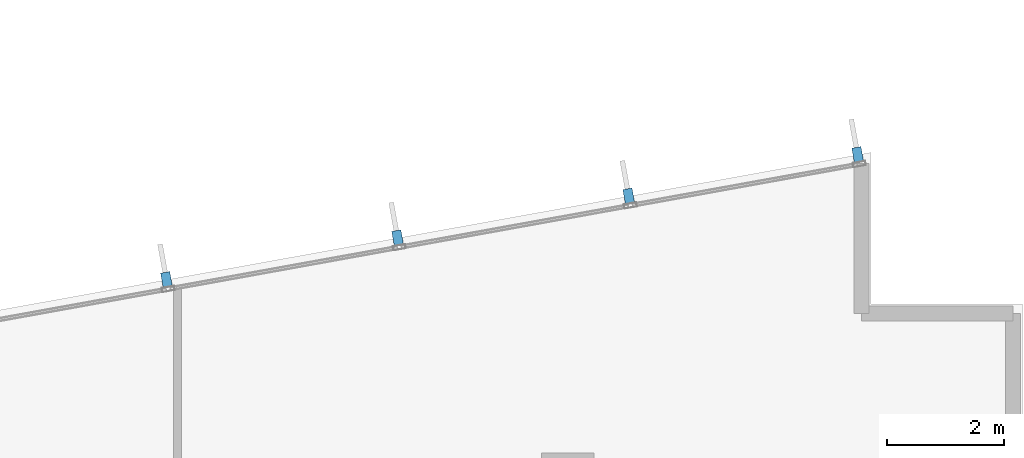
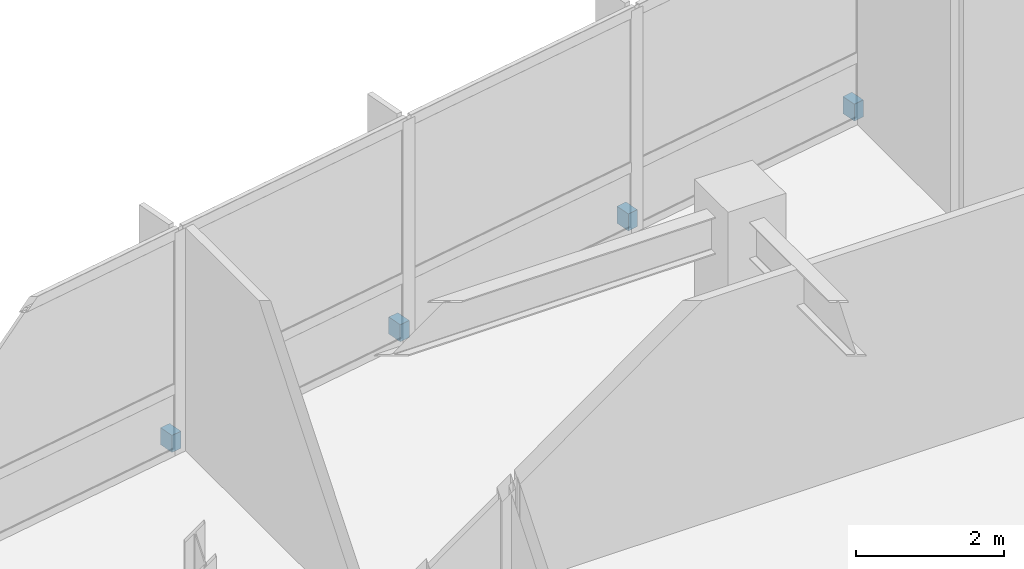
# One storey, part 14 of 19: 4 discrete accessories.
"""IFC4 building model written with IfcOpenShell, lengths in metres."""

from ifc_helpers import new_model, si_unit, direction, frame, origin, origin_2d, place, context, subcontext, project, spatial, rectangle, extrude, material, type_object, element, save


model = new_model("IFC4")

# Units and contexts
model_context = context("Model", 3, precision=1e-05, world=origin(), true_north=direction((0.0, 1.0)))
body_context = subcontext(model_context, "Body", "Model", "MODEL_VIEW")
ifc_project = project(units=[si_unit("LENGTHUNIT", "METRE"), si_unit("AREAUNIT", "SQUARE_METRE"), si_unit("VOLUMEUNIT", "CUBIC_METRE"), si_unit("PLANEANGLEUNIT", "RADIAN"), si_unit("MASSUNIT", "GRAM", prefix="KILO")], contexts=[model_context])

# Site, building, storey
site_placement = place(None, origin())
site = spatial("IfcSite", under=ifc_project, at=site_placement, CompositionType="ELEMENT")
building_placement = place(site_placement, origin())
building = spatial("IfcBuilding", under=site, at=building_placement, Name="Varnakote Quay Hospital", CompositionType="ELEMENT")
storey_placement = place(building_placement, frame((0.0, 0.0, 93.60009765625)))
storey = spatial("IfcBuildingStorey", under=building, at=storey_placement, Name="L23", CompositionType="ELEMENT", Elevation=93.60009765625)

# Discrete accessories
ifc_material = material(Name="Anodised aluminium 6063-T6 Bronze", Category="aluminium")
discrete_accessory_type = type_object("IfcDiscreteAccessoryType", Name="ACC-FIN-BRACKET-180", PredefinedType="BRACKET", material=ifc_material)
for number, where, z_axis, x_axis, name in (
    (1, (55.372802734375, 34.369140625, 0.0), (0.0, 0.0, 1.0), (-0.984071739666, -0.177771795263, 0.0), "L23 Curtain Wall Fin Fixing Bracket"),
    (2, (51.447265625, 33.65966796875, 0.0), (0.0, 0.0, 1.0), (-0.984071739666, -0.177771795263, 0.0), "L23 Curtain Wall Fin Fixing Bracket"),
    (3, (47.484619140625, 32.943603515625, 0.0), (0.0, 0.0, 1.0), (-0.984071739666, -0.177771795263, 0.0), "L23 Curtain Wall Fin Fixing Bracket"),
    (4, (43.52197265625, 32.227294921875, 0.0), (0.0, 0.0, 1.0), (-0.984071739666, -0.177771795263, 0.0), "L23 Curtain Wall Fin Fixing Bracket"),
):
    element("IfcDiscreteAccessory", number, at=place(storey_placement, frame(where, z_axis=z_axis, x_axis=x_axis)), inside=storey, type_object=discrete_accessory_type, Name=name, PredefinedType="BRACKET", context=body_context, shape_type="SweptSolid", body=[
        extrude(rectangle(XDim=0.159912109375, YDim=0.239990234375, at=origin_2d()), origin(), (0.0, 0.0, 1.0), 0.280029296875),
    ])

save(model, "model.ifc")
